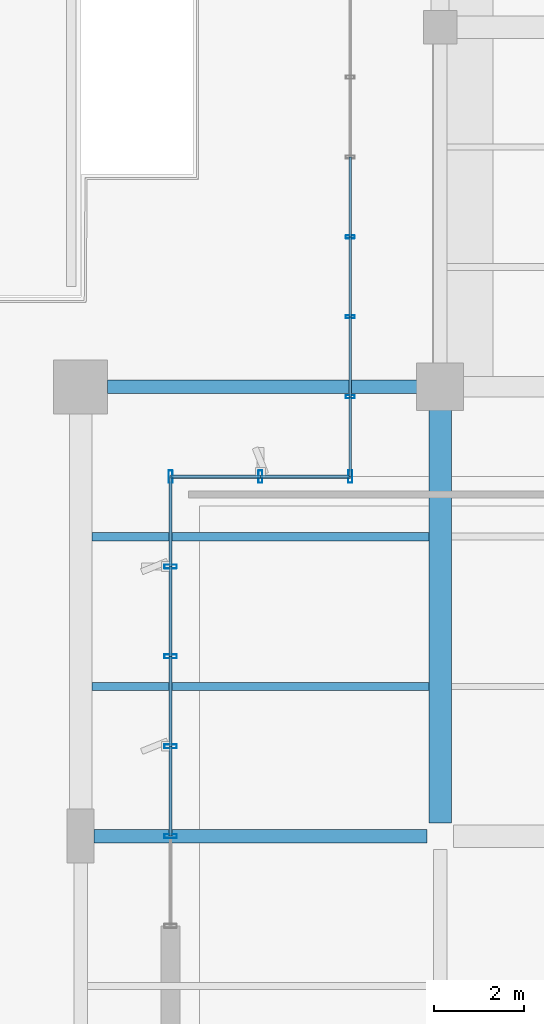
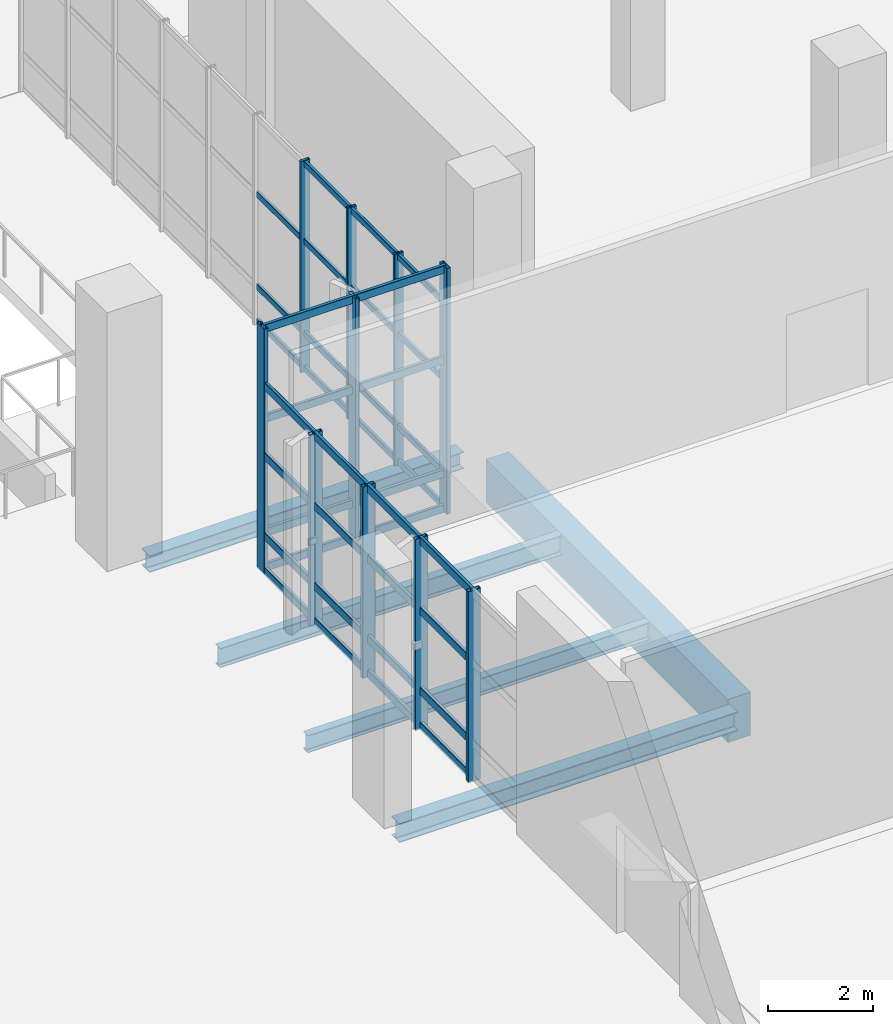
# One storey, part 61 of 163: 49 members, 5 beams, 3 elements without a shape of their own.
"""IFC4 building model written with IfcOpenShell, lengths in metres."""

from ifc_helpers import new_model, si_unit, direction, frame, origin, origin_2d, place, context, subcontext, project, spatial, rectangle, hollow_rectangle, i_section, extrude, material, layer, layer_set, material_profile, profile_set, type_object, element, aggregate, save


model = new_model("IFC4")

# Units and contexts
model_context = context("Model", 3, precision=1e-05, world=origin(), true_north=direction((0.0, 1.0)))
body_context = subcontext(model_context, "Body", "Model", "MODEL_VIEW")
ifc_project = project(units=[si_unit("LENGTHUNIT", "METRE"), si_unit("AREAUNIT", "SQUARE_METRE"), si_unit("VOLUMEUNIT", "CUBIC_METRE"), si_unit("PLANEANGLEUNIT", "RADIAN"), si_unit("MASSUNIT", "GRAM", prefix="KILO")], contexts=[model_context])

# Site, building, storey
site_placement = place(None, origin())
site = spatial("IfcSite", under=ifc_project, at=site_placement, CompositionType="ELEMENT")
building_placement = place(site_placement, origin())
building = spatial("IfcBuilding", under=site, at=building_placement, Name="Khorjan Park Terminus", CompositionType="ELEMENT")
storey_placement = place(building_placement, origin())
storey = spatial("IfcBuildingStorey", under=building, at=storey_placement, Name="L00", CompositionType="ELEMENT", Elevation=0.0)

# Beams
ifc_material_1 = material(Name="Steel S355", Category="steel")
ifc_material_profile_1 = material_profile(ifc_material_1, i_section(OverallWidth=0.3, OverallDepth=0.39, WebThickness=0.011, FlangeThickness=0.019, FilletRadius=0.027, at=origin_2d()), Name="HEA 400")
ifc_profile_set_1 = profile_set([ifc_material_profile_1], Name="Steel S355")
beam_type_1 = type_object("IfcBeamType", Name="BM-HEA400", PredefinedType="BEAM", material=ifc_profile_set_1)
beam_1_placement = place(storey_placement, frame((48.595, 88.0, -0.515), z_axis=(1.0, 0.0, 0.0), x_axis=(0.0, 1.0, 0.0)))
element("IfcBeam", 1, at=beam_1_placement, inside=storey, type_object=beam_type_1, Name="Primary floor girder SB-A40 (L00)", PredefinedType="BEAM", context=body_context, shape_type="SweptSolid", body=[
    extrude(i_section(OverallWidth=0.3, OverallDepth=0.39, WebThickness=0.011, FlangeThickness=0.019, FilletRadius=0.027, at=origin_2d()), origin(), (0.0, 0.0, 1.0), 6.885),
])
ifc_material_profile_2 = material_profile(ifc_material_1, i_section(OverallWidth=0.3, OverallDepth=0.44, WebThickness=0.0115, FlangeThickness=0.021, FilletRadius=0.027, at=origin_2d()), Name="HEA 450")
ifc_profile_set_2 = profile_set([ifc_material_profile_2], Name="Steel S355")
beam_type_2 = type_object("IfcBeamType", Name="BM-HEA450", PredefinedType="BEAM", material=ifc_profile_set_2)
beam_2_placement = place(storey_placement, frame((48.295, 78.0, -0.58), z_axis=(1.0, 0.0, 0.0), x_axis=(0.0, 1.0, 0.0)))
element("IfcBeam", 2, at=beam_2_placement, inside=storey, type_object=beam_type_2, Name="Primary floor girder SB-A45 (L00)", PredefinedType="BEAM", context=body_context, shape_type="SweptSolid", body=[
    extrude(i_section(OverallWidth=0.3, OverallDepth=0.44, WebThickness=0.0115, FlangeThickness=0.021, FilletRadius=0.027, at=origin_2d()), origin(), (0.0, 0.0, 1.0), 7.41),
])
ifc_material_2 = material(Name="Concrete C40/50", Category="concrete")
ifc_material_profile_3 = material_profile(ifc_material_2, rectangle(XDim=0.5, YDim=1.0, at=origin_2d()), Name="RC 500x1000")
ifc_profile_set_3 = profile_set([ifc_material_profile_3], Name="Concrete C40/50")
beam_type_3 = type_object("IfcBeamType", Name="BM-RC500x1000", PredefinedType="BEAM", material=ifc_profile_set_3)
beam_3_placement = place(storey_placement, frame((56.0, 78.295, -0.86), z_axis=(0.0, 1.0, 0.0), x_axis=(-1.0, 0.0, 0.0)))
element("IfcBeam", 3, at=beam_3_placement, inside=storey, type_object=beam_type_3, Name="Primary floor girder GB-10B (L00)", PredefinedType="BEAM", context=body_context, shape_type="SweptSolid", body=[
    extrude(rectangle(XDim=0.5, YDim=1.0, at=origin_2d()), origin(), (0.0, 0.0, 1.0), 9.185),
])
ifc_material_profile_4 = material_profile(ifc_material_1, i_section(OverallWidth=0.18, OverallDepth=0.4, WebThickness=0.0086, FlangeThickness=0.0135, FilletRadius=0.021, at=origin_2d()), Name="IPE 400")
ifc_profile_set_4 = profile_set([ifc_material_profile_4], Name="Steel S355")
beam_type_4 = type_object("IfcBeamType", Name="JS-IPE400", PredefinedType="JOIST", material=ifc_profile_set_4)
beam_4_placement = place(storey_placement, frame((48.25, 81.3333, -0.56), z_axis=(1.0, 0.0, 0.0), x_axis=(0.0, 1.0, 0.0)))
element("IfcBeam", 4, at=beam_4_placement, inside=storey, type_object=beam_type_4, Name="Secondary composite floor joist SJ-40 (L00)", PredefinedType="JOIST", context=body_context, shape_type="SweptSolid", body=[
    extrude(i_section(OverallWidth=0.18, OverallDepth=0.4, WebThickness=0.0086, FlangeThickness=0.0135, FilletRadius=0.021, at=origin_2d()), origin(), (0.0, 0.0, 1.0), 7.5),
])
ifc_material_profile_5 = material_profile(ifc_material_1, i_section(OverallWidth=0.19, OverallDepth=0.45, WebThickness=0.0094, FlangeThickness=0.0146, FilletRadius=0.021, at=origin_2d()), Name="IPE 450")
ifc_profile_set_5 = profile_set([ifc_material_profile_5], Name="Steel S355")
beam_type_5 = type_object("IfcBeamType", Name="JS-IPE450", PredefinedType="JOIST", material=ifc_profile_set_5)
beam_5_placement = place(storey_placement, frame((48.25, 84.6667, -0.585), z_axis=(1.0, 0.0, 0.0), x_axis=(0.0, 1.0, 0.0)))
element("IfcBeam", 5, at=beam_5_placement, inside=storey, type_object=beam_type_5, Name="Secondary composite floor joist SJ-45 (L00)", PredefinedType="JOIST", context=body_context, shape_type="SweptSolid", body=[
    extrude(i_section(OverallWidth=0.19, OverallDepth=0.45, WebThickness=0.0094, FlangeThickness=0.0146, FilletRadius=0.021, at=origin_2d()), origin(), (0.0, 0.0, 1.0), 7.5),
])

# Curtain wall, members
ifc_material_3 = material(Name="Anodized Bronze Aluminium", Category="aluminium")
ifc_layer_1 = layer(ifc_material_3, 0.22)
ifc_layer_set_1 = layer_set([ifc_layer_1], Name="Anodized Bronze Aluminium")
curtain_wall_type_1 = type_object("IfcCurtainWallType", Name="CW-BRG-D", PredefinedType="NOTDEFINED", material=ifc_layer_set_1)
curtain_wall_1_placement = place(storey_placement, origin())
curtain_wall_1 = element("IfcCurtainWall", 6, at=curtain_wall_1_placement, inside=storey, type_object=curtain_wall_type_1, Name="Unitized curtain wall CW-D (CW-NKW-W-L00)", PredefinedType="NOTDEFINED")
ifc_material_profile_6 = material_profile(ifc_material_3, hollow_rectangle(XDim=0.07, YDim=0.2, WallThickness=0.005, InnerFilletRadius=0.005, OuterFilletRadius=0.01, at=origin_2d()), Name="ALM 70x200x5")
ifc_profile_set_6 = profile_set([ifc_material_profile_6], Name="Anodized Bronze Aluminium")
member_type_1 = type_object("IfcMemberType", Name="ML-ALM-200", PredefinedType="MULLION", material=ifc_profile_set_6)
member_1_placement = place(storey_placement, frame((54.0, 91.3333, -0.035), z_axis=(0.0, 0.0, 1.0), x_axis=(0.0, -1.0, 0.0)))
member_1 = element("IfcMember", 7, at=member_1_placement, type_object=member_type_1, Name="Curtain-wall mullion ML-20 (CW-NKW-W-L00-6)", PredefinedType="MULLION", context=body_context, shape_type="SweptSolid", body=[
    extrude(hollow_rectangle(XDim=0.07, YDim=0.2, WallThickness=0.005, InnerFilletRadius=0.005, OuterFilletRadius=0.01, at=origin_2d()), origin(), (0.0, 0.0, 1.0), 4.895),
])
member_2_placement = place(storey_placement, frame((54.0, 89.5556, -0.035), z_axis=(0.0, 0.0, 1.0), x_axis=(0.0, -1.0, 0.0)))
member_2 = element("IfcMember", 8, at=member_2_placement, type_object=member_type_1, Name="Curtain-wall mullion ML-20 (CW-NKW-W-L00-7)", PredefinedType="MULLION", context=body_context, shape_type="SweptSolid", body=[
    extrude(hollow_rectangle(XDim=0.07, YDim=0.2, WallThickness=0.005, InnerFilletRadius=0.005, OuterFilletRadius=0.01, at=origin_2d()), origin(), (0.0, 0.0, 1.0), 4.895),
])
member_3_placement = place(storey_placement, frame((54.0, 87.7778, -0.035), z_axis=(0.0, 0.0, 1.0), x_axis=(0.0, -1.0, 0.0)))
member_3 = element("IfcMember", 9, at=member_3_placement, type_object=member_type_1, Name="Curtain-wall mullion ML-20 (CW-NKW-W-L00-8)", PredefinedType="MULLION", context=body_context, shape_type="SweptSolid", body=[
    extrude(hollow_rectangle(XDim=0.07, YDim=0.2, WallThickness=0.005, InnerFilletRadius=0.005, OuterFilletRadius=0.01, at=origin_2d()), origin(), (0.0, 0.0, 1.0), 4.895),
])

ifc_layer_2 = layer(ifc_material_3, 0.22)
ifc_layer_set_2 = layer_set([ifc_layer_2], Name="Anodized Bronze Aluminium")
curtain_wall_type_2 = type_object("IfcCurtainWallType", Name="CW-CONC-A", PredefinedType="NOTDEFINED", material=ifc_layer_set_2)
curtain_wall_2_placement = place(storey_placement, origin())
curtain_wall_2 = element("IfcCurtainWall", 10, at=curtain_wall_2_placement, inside=storey, type_object=curtain_wall_type_2, Name="Unitized curtain wall CW-A (CW-V2-N-L00-01)", PredefinedType="NOTDEFINED")
ifc_material_profile_7 = material_profile(ifc_material_3, hollow_rectangle(XDim=0.09, YDim=0.28, WallThickness=0.006, InnerFilletRadius=0.006, OuterFilletRadius=0.012, at=origin_2d()), Name="ALM 90x280x6")
ifc_profile_set_7 = profile_set([ifc_material_profile_7], Name="Anodized Bronze Aluminium")
member_type_2 = type_object("IfcMemberType", Name="ML-ALM-280", PredefinedType="MULLION", material=ifc_profile_set_7)
member_4_placement = place(storey_placement, frame((54.0, 86.0, -0.035), z_axis=(0.0, 0.0, 1.0), x_axis=(-1.0, 0.0, 0.0)))
member_4 = element("IfcMember", 11, at=member_4_placement, type_object=member_type_2, Name="Curtain-wall mullion ML-28 (CW-V2-N-L00-01-0)", PredefinedType="MULLION", context=body_context, shape_type="SweptSolid", body=[
    extrude(hollow_rectangle(XDim=0.09, YDim=0.28, WallThickness=0.006, InnerFilletRadius=0.006, OuterFilletRadius=0.012, at=origin_2d()), origin(), (0.0, 0.0, 1.0), 5.69),
])
member_5_placement = place(storey_placement, frame((52.0, 86.0, -0.035), z_axis=(0.0, 0.0, 1.0), x_axis=(-1.0, 0.0, 0.0)))
member_5 = element("IfcMember", 12, at=member_5_placement, type_object=member_type_2, Name="Curtain-wall mullion ML-28 (CW-V2-N-L00-01-1)", PredefinedType="MULLION", context=body_context, shape_type="SweptSolid", body=[
    extrude(hollow_rectangle(XDim=0.09, YDim=0.28, WallThickness=0.006, InnerFilletRadius=0.006, OuterFilletRadius=0.012, at=origin_2d()), origin(), (0.0, 0.0, 1.0), 5.69),
])
member_6_placement = place(storey_placement, frame((50.0, 86.0, -0.035), z_axis=(0.0, 0.0, 1.0), x_axis=(-1.0, 0.0, 0.0)))
member_6 = element("IfcMember", 13, at=member_6_placement, type_object=member_type_2, Name="Curtain-wall mullion ML-28 (CW-V2-N-L00-01-2)", PredefinedType="MULLION", context=body_context, shape_type="SweptSolid", body=[
    extrude(hollow_rectangle(XDim=0.09, YDim=0.28, WallThickness=0.006, InnerFilletRadius=0.006, OuterFilletRadius=0.012, at=origin_2d()), origin(), (0.0, 0.0, 1.0), 5.69),
])

curtain_wall_3_placement = place(storey_placement, origin())
curtain_wall_3 = element("IfcCurtainWall", 14, at=curtain_wall_3_placement, inside=storey, type_object=curtain_wall_type_2, Name="Unitized curtain wall CW-A (CW-V2-W-L00-05)", PredefinedType="NOTDEFINED")
member_7_placement = place(storey_placement, frame((50.0, 84.0, -0.035), z_axis=(0.0, 0.0, 1.0), x_axis=(0.0, -1.0, 0.0)))
member_7 = element("IfcMember", 15, at=member_7_placement, type_object=member_type_2, Name="Curtain-wall mullion ML-28 (CW-V2-W-L00-05-1)", PredefinedType="MULLION", context=body_context, shape_type="SweptSolid", body=[
    extrude(hollow_rectangle(XDim=0.09, YDim=0.28, WallThickness=0.006, InnerFilletRadius=0.006, OuterFilletRadius=0.012, at=origin_2d()), origin(), (0.0, 0.0, 1.0), 4.435),
])
member_8_placement = place(storey_placement, frame((50.0, 82.0, -0.035), z_axis=(0.0, 0.0, 1.0), x_axis=(0.0, -1.0, 0.0)))
member_8 = element("IfcMember", 16, at=member_8_placement, type_object=member_type_2, Name="Curtain-wall mullion ML-28 (CW-V2-W-L00-05-2)", PredefinedType="MULLION", context=body_context, shape_type="SweptSolid", body=[
    extrude(hollow_rectangle(XDim=0.09, YDim=0.28, WallThickness=0.006, InnerFilletRadius=0.006, OuterFilletRadius=0.012, at=origin_2d()), origin(), (0.0, 0.0, 1.0), 4.435),
])
member_9_placement = place(storey_placement, frame((50.0, 80.0, -0.035), z_axis=(0.0, 0.0, 1.0), x_axis=(0.0, -1.0, 0.0)))
member_9 = element("IfcMember", 17, at=member_9_placement, type_object=member_type_2, Name="Curtain-wall mullion ML-28 (CW-V2-W-L00-05-3)", PredefinedType="MULLION", context=body_context, shape_type="SweptSolid", body=[
    extrude(hollow_rectangle(XDim=0.09, YDim=0.28, WallThickness=0.006, InnerFilletRadius=0.006, OuterFilletRadius=0.012, at=origin_2d()), origin(), (0.0, 0.0, 1.0), 4.435),
])
member_10_placement = place(storey_placement, frame((50.0, 78.0, -0.035), z_axis=(0.0, 0.0, 1.0), x_axis=(0.0, -1.0, 0.0)))
member_10 = element("IfcMember", 18, at=member_10_placement, type_object=member_type_2, Name="Curtain-wall mullion ML-28 (CW-V2-W-L00-05-4)", PredefinedType="MULLION", context=body_context, shape_type="SweptSolid", body=[
    extrude(hollow_rectangle(XDim=0.09, YDim=0.28, WallThickness=0.006, InnerFilletRadius=0.006, OuterFilletRadius=0.012, at=origin_2d()), origin(), (0.0, 0.0, 1.0), 4.435),
])

# Member
ifc_material_profile_8 = material_profile(ifc_material_3, hollow_rectangle(XDim=0.065, YDim=0.14, WallThickness=0.004, InnerFilletRadius=0.004, OuterFilletRadius=0.008, at=origin_2d()), Name="ALT 65x140x4")
ifc_profile_set_8 = profile_set([ifc_material_profile_8], Name="Anodized Bronze Aluminium")
member_type_3 = type_object("IfcMemberType", Name="TR-ALT-140", PredefinedType="USERDEFINED", material=ifc_profile_set_8)
member_11_placement = place(storey_placement, frame((54.0, 93.1111, 0.04), z_axis=(0.0, -1.0, 0.0), x_axis=(1.0, 0.0, 0.0)))
member_11 = element("IfcMember", 19, at=member_11_placement, type_object=member_type_3, Name="Curtain-wall transom TR-14 (CW-NKW-W-L00-5-1)", ObjectType="TRANSOM", PredefinedType="USERDEFINED", context=body_context, shape_type="SweptSolid", body=[
    extrude(hollow_rectangle(XDim=0.065, YDim=0.14, WallThickness=0.004, InnerFilletRadius=0.004, OuterFilletRadius=0.008, at=origin_2d()), origin(), (0.0, 0.0, 1.0), 1.7778),
])

member_12_placement = place(storey_placement, frame((54.0, 93.1111, 0.85), z_axis=(0.0, -1.0, 0.0), x_axis=(1.0, 0.0, 0.0)))
member_12 = element("IfcMember", 20, at=member_12_placement, type_object=member_type_3, Name="Curtain-wall transom TR-14 (CW-NKW-W-L00-5-2)", ObjectType="TRANSOM", PredefinedType="USERDEFINED", context=body_context, shape_type="SweptSolid", body=[
    extrude(hollow_rectangle(XDim=0.065, YDim=0.14, WallThickness=0.004, InnerFilletRadius=0.004, OuterFilletRadius=0.008, at=origin_2d()), origin(), (0.0, 0.0, 1.0), 1.7778),
])

member_13_placement = place(storey_placement, frame((54.0, 93.1111, 2.9915), z_axis=(0.0, -1.0, 0.0), x_axis=(1.0, 0.0, 0.0)))
member_13 = element("IfcMember", 21, at=member_13_placement, type_object=member_type_3, Name="Curtain-wall transom TR-14 (CW-NKW-W-L00-5-3)", ObjectType="TRANSOM", PredefinedType="USERDEFINED", context=body_context, shape_type="SweptSolid", body=[
    extrude(hollow_rectangle(XDim=0.065, YDim=0.14, WallThickness=0.004, InnerFilletRadius=0.004, OuterFilletRadius=0.008, at=origin_2d()), origin(), (0.0, 0.0, 1.0), 1.7778),
])

member_14_placement = place(storey_placement, frame((54.0, 91.3333, 0.04), z_axis=(0.0, -1.0, 0.0), x_axis=(1.0, 0.0, 0.0)))
member_14 = element("IfcMember", 22, at=member_14_placement, type_object=member_type_3, Name="Curtain-wall transom TR-14 (CW-NKW-W-L00-6-1)", ObjectType="TRANSOM", PredefinedType="USERDEFINED", context=body_context, shape_type="SweptSolid", body=[
    extrude(hollow_rectangle(XDim=0.065, YDim=0.14, WallThickness=0.004, InnerFilletRadius=0.004, OuterFilletRadius=0.008, at=origin_2d()), origin(), (0.0, 0.0, 1.0), 1.7777),
])

member_15_placement = place(storey_placement, frame((54.0, 91.3333, 0.85), z_axis=(0.0, -1.0, 0.0), x_axis=(1.0, 0.0, 0.0)))
member_15 = element("IfcMember", 23, at=member_15_placement, type_object=member_type_3, Name="Curtain-wall transom TR-14 (CW-NKW-W-L00-6-2)", ObjectType="TRANSOM", PredefinedType="USERDEFINED", context=body_context, shape_type="SweptSolid", body=[
    extrude(hollow_rectangle(XDim=0.065, YDim=0.14, WallThickness=0.004, InnerFilletRadius=0.004, OuterFilletRadius=0.008, at=origin_2d()), origin(), (0.0, 0.0, 1.0), 1.7777),
])

member_16_placement = place(storey_placement, frame((54.0, 91.3333, 2.9915), z_axis=(0.0, -1.0, 0.0), x_axis=(1.0, 0.0, 0.0)))
member_16 = element("IfcMember", 24, at=member_16_placement, type_object=member_type_3, Name="Curtain-wall transom TR-14 (CW-NKW-W-L00-6-3)", ObjectType="TRANSOM", PredefinedType="USERDEFINED", context=body_context, shape_type="SweptSolid", body=[
    extrude(hollow_rectangle(XDim=0.065, YDim=0.14, WallThickness=0.004, InnerFilletRadius=0.004, OuterFilletRadius=0.008, at=origin_2d()), origin(), (0.0, 0.0, 1.0), 1.7777),
])

member_17_placement = place(storey_placement, frame((54.0, 91.3333, 4.785), z_axis=(0.0, -1.0, 0.0), x_axis=(1.0, 0.0, 0.0)))
member_17 = element("IfcMember", 25, at=member_17_placement, type_object=member_type_3, Name="Curtain-wall transom TR-14 (CW-NKW-W-L00-6-4)", ObjectType="TRANSOM", PredefinedType="USERDEFINED", context=body_context, shape_type="SweptSolid", body=[
    extrude(hollow_rectangle(XDim=0.065, YDim=0.14, WallThickness=0.004, InnerFilletRadius=0.004, OuterFilletRadius=0.008, at=origin_2d()), origin(), (0.0, 0.0, 1.0), 1.7777),
])

member_18_placement = place(storey_placement, frame((54.0, 89.5556, 0.04), z_axis=(0.0, -1.0, 0.0), x_axis=(1.0, 0.0, 0.0)))
member_18 = element("IfcMember", 26, at=member_18_placement, type_object=member_type_3, Name="Curtain-wall transom TR-14 (CW-NKW-W-L00-7-1)", ObjectType="TRANSOM", PredefinedType="USERDEFINED", context=body_context, shape_type="SweptSolid", body=[
    extrude(hollow_rectangle(XDim=0.065, YDim=0.14, WallThickness=0.004, InnerFilletRadius=0.004, OuterFilletRadius=0.008, at=origin_2d()), origin(), (0.0, 0.0, 1.0), 1.7778),
])

member_19_placement = place(storey_placement, frame((54.0, 89.5556, 0.85), z_axis=(0.0, -1.0, 0.0), x_axis=(1.0, 0.0, 0.0)))
member_19 = element("IfcMember", 27, at=member_19_placement, type_object=member_type_3, Name="Curtain-wall transom TR-14 (CW-NKW-W-L00-7-2)", ObjectType="TRANSOM", PredefinedType="USERDEFINED", context=body_context, shape_type="SweptSolid", body=[
    extrude(hollow_rectangle(XDim=0.065, YDim=0.14, WallThickness=0.004, InnerFilletRadius=0.004, OuterFilletRadius=0.008, at=origin_2d()), origin(), (0.0, 0.0, 1.0), 1.7778),
])

member_20_placement = place(storey_placement, frame((54.0, 89.5556, 2.9915), z_axis=(0.0, -1.0, 0.0), x_axis=(1.0, 0.0, 0.0)))
member_20 = element("IfcMember", 28, at=member_20_placement, type_object=member_type_3, Name="Curtain-wall transom TR-14 (CW-NKW-W-L00-7-3)", ObjectType="TRANSOM", PredefinedType="USERDEFINED", context=body_context, shape_type="SweptSolid", body=[
    extrude(hollow_rectangle(XDim=0.065, YDim=0.14, WallThickness=0.004, InnerFilletRadius=0.004, OuterFilletRadius=0.008, at=origin_2d()), origin(), (0.0, 0.0, 1.0), 1.7778),
])

member_21_placement = place(storey_placement, frame((54.0, 89.5556, 4.785), z_axis=(0.0, -1.0, 0.0), x_axis=(1.0, 0.0, 0.0)))
member_21 = element("IfcMember", 29, at=member_21_placement, type_object=member_type_3, Name="Curtain-wall transom TR-14 (CW-NKW-W-L00-7-4)", ObjectType="TRANSOM", PredefinedType="USERDEFINED", context=body_context, shape_type="SweptSolid", body=[
    extrude(hollow_rectangle(XDim=0.065, YDim=0.14, WallThickness=0.004, InnerFilletRadius=0.004, OuterFilletRadius=0.008, at=origin_2d()), origin(), (0.0, 0.0, 1.0), 1.7778),
])

member_22_placement = place(storey_placement, frame((54.0, 87.7778, 0.04), z_axis=(0.0, -1.0, 0.0), x_axis=(1.0, 0.0, 0.0)))
member_22 = element("IfcMember", 30, at=member_22_placement, type_object=member_type_3, Name="Curtain-wall transom TR-14 (CW-NKW-W-L00-8-1)", ObjectType="TRANSOM", PredefinedType="USERDEFINED", context=body_context, shape_type="SweptSolid", body=[
    extrude(hollow_rectangle(XDim=0.065, YDim=0.14, WallThickness=0.004, InnerFilletRadius=0.004, OuterFilletRadius=0.008, at=origin_2d()), origin(), (0.0, 0.0, 1.0), 1.7778),
])

member_23_placement = place(storey_placement, frame((54.0, 87.7778, 0.85), z_axis=(0.0, -1.0, 0.0), x_axis=(1.0, 0.0, 0.0)))
member_23 = element("IfcMember", 31, at=member_23_placement, type_object=member_type_3, Name="Curtain-wall transom TR-14 (CW-NKW-W-L00-8-2)", ObjectType="TRANSOM", PredefinedType="USERDEFINED", context=body_context, shape_type="SweptSolid", body=[
    extrude(hollow_rectangle(XDim=0.065, YDim=0.14, WallThickness=0.004, InnerFilletRadius=0.004, OuterFilletRadius=0.008, at=origin_2d()), origin(), (0.0, 0.0, 1.0), 1.7778),
])

member_24_placement = place(storey_placement, frame((54.0, 87.7778, 2.9915), z_axis=(0.0, -1.0, 0.0), x_axis=(1.0, 0.0, 0.0)))
member_24 = element("IfcMember", 32, at=member_24_placement, type_object=member_type_3, Name="Curtain-wall transom TR-14 (CW-NKW-W-L00-8-3)", ObjectType="TRANSOM", PredefinedType="USERDEFINED", context=body_context, shape_type="SweptSolid", body=[
    extrude(hollow_rectangle(XDim=0.065, YDim=0.14, WallThickness=0.004, InnerFilletRadius=0.004, OuterFilletRadius=0.008, at=origin_2d()), origin(), (0.0, 0.0, 1.0), 1.7778),
])

member_25_placement = place(storey_placement, frame((54.0, 87.7778, 4.785), z_axis=(0.0, -1.0, 0.0), x_axis=(1.0, 0.0, 0.0)))
member_25 = element("IfcMember", 33, at=member_25_placement, type_object=member_type_3, Name="Curtain-wall transom TR-14 (CW-NKW-W-L00-8-4)", ObjectType="TRANSOM", PredefinedType="USERDEFINED", context=body_context, shape_type="SweptSolid", body=[
    extrude(hollow_rectangle(XDim=0.065, YDim=0.14, WallThickness=0.004, InnerFilletRadius=0.004, OuterFilletRadius=0.008, at=origin_2d()), origin(), (0.0, 0.0, 1.0), 1.7778),
])

aggregate(curtain_wall_1, [member_1, member_2, member_3, member_11, member_12, member_13, member_14, member_15, member_16, member_17, member_18, member_19, member_20, member_21, member_22, member_23, member_24, member_25])

ifc_material_profile_9 = material_profile(ifc_material_3, hollow_rectangle(XDim=0.075, YDim=0.185, WallThickness=0.005, InnerFilletRadius=0.005, OuterFilletRadius=0.01, at=origin_2d()), Name="ALT 75x185x5")
ifc_profile_set_9 = profile_set([ifc_material_profile_9], Name="Anodized Bronze Aluminium")
member_type_4 = type_object("IfcMemberType", Name="TR-ALT-185", PredefinedType="USERDEFINED", material=ifc_profile_set_9)
member_26_placement = place(storey_placement, frame((54.0, 86.0, 0.04), z_axis=(-1.0, 0.0, 0.0), x_axis=(0.0, -1.0, 0.0)))
member_26 = element("IfcMember", 34, at=member_26_placement, type_object=member_type_4, Name="Curtain-wall transom TR-18 (CW-V2-N-L00-01-0-1)", ObjectType="TRANSOM", PredefinedType="USERDEFINED", context=body_context, shape_type="SweptSolid", body=[
    extrude(hollow_rectangle(XDim=0.075, YDim=0.185, WallThickness=0.005, InnerFilletRadius=0.005, OuterFilletRadius=0.01, at=origin_2d()), origin(), (0.0, 0.0, 1.0), 2.0),
])

member_27_placement = place(storey_placement, frame((54.0, 86.0, 0.85), z_axis=(-1.0, 0.0, 0.0), x_axis=(0.0, -1.0, 0.0)))
member_27 = element("IfcMember", 35, at=member_27_placement, type_object=member_type_4, Name="Curtain-wall transom TR-18 (CW-V2-N-L00-01-0-2)", ObjectType="TRANSOM", PredefinedType="USERDEFINED", context=body_context, shape_type="SweptSolid", body=[
    extrude(hollow_rectangle(XDim=0.075, YDim=0.185, WallThickness=0.005, InnerFilletRadius=0.005, OuterFilletRadius=0.01, at=origin_2d()), origin(), (0.0, 0.0, 1.0), 2.0),
])

member_28_placement = place(storey_placement, frame((54.0, 86.0, 3.4844), z_axis=(-1.0, 0.0, 0.0), x_axis=(0.0, -1.0, 0.0)))
member_28 = element("IfcMember", 36, at=member_28_placement, type_object=member_type_4, Name="Curtain-wall transom TR-18 (CW-V2-N-L00-01-0-3)", ObjectType="TRANSOM", PredefinedType="USERDEFINED", context=body_context, shape_type="SweptSolid", body=[
    extrude(hollow_rectangle(XDim=0.075, YDim=0.185, WallThickness=0.005, InnerFilletRadius=0.005, OuterFilletRadius=0.01, at=origin_2d()), origin(), (0.0, 0.0, 1.0), 2.0),
])

member_29_placement = place(storey_placement, frame((54.0, 86.0, 5.58), z_axis=(-1.0, 0.0, 0.0), x_axis=(0.0, -1.0, 0.0)))
member_29 = element("IfcMember", 37, at=member_29_placement, type_object=member_type_4, Name="Curtain-wall transom TR-18 (CW-V2-N-L00-01-0-4)", ObjectType="TRANSOM", PredefinedType="USERDEFINED", context=body_context, shape_type="SweptSolid", body=[
    extrude(hollow_rectangle(XDim=0.075, YDim=0.185, WallThickness=0.005, InnerFilletRadius=0.005, OuterFilletRadius=0.01, at=origin_2d()), origin(), (0.0, 0.0, 1.0), 2.0),
])

member_30_placement = place(storey_placement, frame((52.0, 86.0, 0.04), z_axis=(-1.0, 0.0, 0.0), x_axis=(0.0, -1.0, 0.0)))
member_30 = element("IfcMember", 38, at=member_30_placement, type_object=member_type_4, Name="Curtain-wall transom TR-18 (CW-V2-N-L00-01-1-1)", ObjectType="TRANSOM", PredefinedType="USERDEFINED", context=body_context, shape_type="SweptSolid", body=[
    extrude(hollow_rectangle(XDim=0.075, YDim=0.185, WallThickness=0.005, InnerFilletRadius=0.005, OuterFilletRadius=0.01, at=origin_2d()), origin(), (0.0, 0.0, 1.0), 2.0),
])

member_31_placement = place(storey_placement, frame((52.0, 86.0, 0.85), z_axis=(-1.0, 0.0, 0.0), x_axis=(0.0, -1.0, 0.0)))
member_31 = element("IfcMember", 39, at=member_31_placement, type_object=member_type_4, Name="Curtain-wall transom TR-18 (CW-V2-N-L00-01-1-2)", ObjectType="TRANSOM", PredefinedType="USERDEFINED", context=body_context, shape_type="SweptSolid", body=[
    extrude(hollow_rectangle(XDim=0.075, YDim=0.185, WallThickness=0.005, InnerFilletRadius=0.005, OuterFilletRadius=0.01, at=origin_2d()), origin(), (0.0, 0.0, 1.0), 2.0),
])

member_32_placement = place(storey_placement, frame((52.0, 86.0, 3.4844), z_axis=(-1.0, 0.0, 0.0), x_axis=(0.0, -1.0, 0.0)))
member_32 = element("IfcMember", 40, at=member_32_placement, type_object=member_type_4, Name="Curtain-wall transom TR-18 (CW-V2-N-L00-01-1-3)", ObjectType="TRANSOM", PredefinedType="USERDEFINED", context=body_context, shape_type="SweptSolid", body=[
    extrude(hollow_rectangle(XDim=0.075, YDim=0.185, WallThickness=0.005, InnerFilletRadius=0.005, OuterFilletRadius=0.01, at=origin_2d()), origin(), (0.0, 0.0, 1.0), 2.0),
])

member_33_placement = place(storey_placement, frame((52.0, 86.0, 5.58), z_axis=(-1.0, 0.0, 0.0), x_axis=(0.0, -1.0, 0.0)))
member_33 = element("IfcMember", 41, at=member_33_placement, type_object=member_type_4, Name="Curtain-wall transom TR-18 (CW-V2-N-L00-01-1-4)", ObjectType="TRANSOM", PredefinedType="USERDEFINED", context=body_context, shape_type="SweptSolid", body=[
    extrude(hollow_rectangle(XDim=0.075, YDim=0.185, WallThickness=0.005, InnerFilletRadius=0.005, OuterFilletRadius=0.01, at=origin_2d()), origin(), (0.0, 0.0, 1.0), 2.0),
])

aggregate(curtain_wall_2, [member_4, member_5, member_6, member_26, member_27, member_28, member_29, member_30, member_31, member_32, member_33])

member_34_placement = place(storey_placement, frame((50.0, 86.0, 0.04), z_axis=(0.0, -1.0, 0.0), x_axis=(1.0, 0.0, 0.0)))
member_34 = element("IfcMember", 42, at=member_34_placement, type_object=member_type_4, Name="Curtain-wall transom TR-18 (CW-V2-W-L00-05-0-1)", ObjectType="TRANSOM", PredefinedType="USERDEFINED", context=body_context, shape_type="SweptSolid", body=[
    extrude(hollow_rectangle(XDim=0.075, YDim=0.185, WallThickness=0.005, InnerFilletRadius=0.005, OuterFilletRadius=0.01, at=origin_2d()), origin(), (0.0, 0.0, 1.0), 2.0),
])

member_35_placement = place(storey_placement, frame((50.0, 86.0, 0.85), z_axis=(0.0, -1.0, 0.0), x_axis=(1.0, 0.0, 0.0)))
member_35 = element("IfcMember", 43, at=member_35_placement, type_object=member_type_4, Name="Curtain-wall transom TR-18 (CW-V2-W-L00-05-0-2)", ObjectType="TRANSOM", PredefinedType="USERDEFINED", context=body_context, shape_type="SweptSolid", body=[
    extrude(hollow_rectangle(XDim=0.075, YDim=0.185, WallThickness=0.005, InnerFilletRadius=0.005, OuterFilletRadius=0.01, at=origin_2d()), origin(), (0.0, 0.0, 1.0), 2.0),
])

member_36_placement = place(storey_placement, frame((50.0, 86.0, 2.7063), z_axis=(0.0, -1.0, 0.0), x_axis=(1.0, 0.0, 0.0)))
member_36 = element("IfcMember", 44, at=member_36_placement, type_object=member_type_4, Name="Curtain-wall transom TR-18 (CW-V2-W-L00-05-0-3)", ObjectType="TRANSOM", PredefinedType="USERDEFINED", context=body_context, shape_type="SweptSolid", body=[
    extrude(hollow_rectangle(XDim=0.075, YDim=0.185, WallThickness=0.005, InnerFilletRadius=0.005, OuterFilletRadius=0.01, at=origin_2d()), origin(), (0.0, 0.0, 1.0), 2.0),
])

member_37_placement = place(storey_placement, frame((50.0, 86.0, 4.325), z_axis=(0.0, -1.0, 0.0), x_axis=(1.0, 0.0, 0.0)))
member_37 = element("IfcMember", 45, at=member_37_placement, type_object=member_type_4, Name="Curtain-wall transom TR-18 (CW-V2-W-L00-05-0-4)", ObjectType="TRANSOM", PredefinedType="USERDEFINED", context=body_context, shape_type="SweptSolid", body=[
    extrude(hollow_rectangle(XDim=0.075, YDim=0.185, WallThickness=0.005, InnerFilletRadius=0.005, OuterFilletRadius=0.01, at=origin_2d()), origin(), (0.0, 0.0, 1.0), 2.0),
])

member_38_placement = place(storey_placement, frame((50.0, 84.0, 0.04), z_axis=(0.0, -1.0, 0.0), x_axis=(1.0, 0.0, 0.0)))
member_38 = element("IfcMember", 46, at=member_38_placement, type_object=member_type_4, Name="Curtain-wall transom TR-18 (CW-V2-W-L00-05-1-1)", ObjectType="TRANSOM", PredefinedType="USERDEFINED", context=body_context, shape_type="SweptSolid", body=[
    extrude(hollow_rectangle(XDim=0.075, YDim=0.185, WallThickness=0.005, InnerFilletRadius=0.005, OuterFilletRadius=0.01, at=origin_2d()), origin(), (0.0, 0.0, 1.0), 2.0),
])

member_39_placement = place(storey_placement, frame((50.0, 84.0, 0.85), z_axis=(0.0, -1.0, 0.0), x_axis=(1.0, 0.0, 0.0)))
member_39 = element("IfcMember", 47, at=member_39_placement, type_object=member_type_4, Name="Curtain-wall transom TR-18 (CW-V2-W-L00-05-1-2)", ObjectType="TRANSOM", PredefinedType="USERDEFINED", context=body_context, shape_type="SweptSolid", body=[
    extrude(hollow_rectangle(XDim=0.075, YDim=0.185, WallThickness=0.005, InnerFilletRadius=0.005, OuterFilletRadius=0.01, at=origin_2d()), origin(), (0.0, 0.0, 1.0), 2.0),
])

member_40_placement = place(storey_placement, frame((50.0, 84.0, 2.7063), z_axis=(0.0, -1.0, 0.0), x_axis=(1.0, 0.0, 0.0)))
member_40 = element("IfcMember", 48, at=member_40_placement, type_object=member_type_4, Name="Curtain-wall transom TR-18 (CW-V2-W-L00-05-1-3)", ObjectType="TRANSOM", PredefinedType="USERDEFINED", context=body_context, shape_type="SweptSolid", body=[
    extrude(hollow_rectangle(XDim=0.075, YDim=0.185, WallThickness=0.005, InnerFilletRadius=0.005, OuterFilletRadius=0.01, at=origin_2d()), origin(), (0.0, 0.0, 1.0), 2.0),
])

member_41_placement = place(storey_placement, frame((50.0, 84.0, 4.325), z_axis=(0.0, -1.0, 0.0), x_axis=(1.0, 0.0, 0.0)))
member_41 = element("IfcMember", 49, at=member_41_placement, type_object=member_type_4, Name="Curtain-wall transom TR-18 (CW-V2-W-L00-05-1-4)", ObjectType="TRANSOM", PredefinedType="USERDEFINED", context=body_context, shape_type="SweptSolid", body=[
    extrude(hollow_rectangle(XDim=0.075, YDim=0.185, WallThickness=0.005, InnerFilletRadius=0.005, OuterFilletRadius=0.01, at=origin_2d()), origin(), (0.0, 0.0, 1.0), 2.0),
])

member_42_placement = place(storey_placement, frame((50.0, 82.0, 0.04), z_axis=(0.0, -1.0, 0.0), x_axis=(1.0, 0.0, 0.0)))
member_42 = element("IfcMember", 50, at=member_42_placement, type_object=member_type_4, Name="Curtain-wall transom TR-18 (CW-V2-W-L00-05-2-1)", ObjectType="TRANSOM", PredefinedType="USERDEFINED", context=body_context, shape_type="SweptSolid", body=[
    extrude(hollow_rectangle(XDim=0.075, YDim=0.185, WallThickness=0.005, InnerFilletRadius=0.005, OuterFilletRadius=0.01, at=origin_2d()), origin(), (0.0, 0.0, 1.0), 2.0),
])

member_43_placement = place(storey_placement, frame((50.0, 82.0, 0.85), z_axis=(0.0, -1.0, 0.0), x_axis=(1.0, 0.0, 0.0)))
member_43 = element("IfcMember", 51, at=member_43_placement, type_object=member_type_4, Name="Curtain-wall transom TR-18 (CW-V2-W-L00-05-2-2)", ObjectType="TRANSOM", PredefinedType="USERDEFINED", context=body_context, shape_type="SweptSolid", body=[
    extrude(hollow_rectangle(XDim=0.075, YDim=0.185, WallThickness=0.005, InnerFilletRadius=0.005, OuterFilletRadius=0.01, at=origin_2d()), origin(), (0.0, 0.0, 1.0), 2.0),
])

member_44_placement = place(storey_placement, frame((50.0, 82.0, 2.7063), z_axis=(0.0, -1.0, 0.0), x_axis=(1.0, 0.0, 0.0)))
member_44 = element("IfcMember", 52, at=member_44_placement, type_object=member_type_4, Name="Curtain-wall transom TR-18 (CW-V2-W-L00-05-2-3)", ObjectType="TRANSOM", PredefinedType="USERDEFINED", context=body_context, shape_type="SweptSolid", body=[
    extrude(hollow_rectangle(XDim=0.075, YDim=0.185, WallThickness=0.005, InnerFilletRadius=0.005, OuterFilletRadius=0.01, at=origin_2d()), origin(), (0.0, 0.0, 1.0), 2.0),
])

member_45_placement = place(storey_placement, frame((50.0, 82.0, 4.325), z_axis=(0.0, -1.0, 0.0), x_axis=(1.0, 0.0, 0.0)))
member_45 = element("IfcMember", 53, at=member_45_placement, type_object=member_type_4, Name="Curtain-wall transom TR-18 (CW-V2-W-L00-05-2-4)", ObjectType="TRANSOM", PredefinedType="USERDEFINED", context=body_context, shape_type="SweptSolid", body=[
    extrude(hollow_rectangle(XDim=0.075, YDim=0.185, WallThickness=0.005, InnerFilletRadius=0.005, OuterFilletRadius=0.01, at=origin_2d()), origin(), (0.0, 0.0, 1.0), 2.0),
])

member_46_placement = place(storey_placement, frame((50.0, 80.0, 0.04), z_axis=(0.0, -1.0, 0.0), x_axis=(1.0, 0.0, 0.0)))
member_46 = element("IfcMember", 54, at=member_46_placement, type_object=member_type_4, Name="Curtain-wall transom TR-18 (CW-V2-W-L00-05-3-1)", ObjectType="TRANSOM", PredefinedType="USERDEFINED", context=body_context, shape_type="SweptSolid", body=[
    extrude(hollow_rectangle(XDim=0.075, YDim=0.185, WallThickness=0.005, InnerFilletRadius=0.005, OuterFilletRadius=0.01, at=origin_2d()), origin(), (0.0, 0.0, 1.0), 2.0),
])

member_47_placement = place(storey_placement, frame((50.0, 80.0, 0.85), z_axis=(0.0, -1.0, 0.0), x_axis=(1.0, 0.0, 0.0)))
member_47 = element("IfcMember", 55, at=member_47_placement, type_object=member_type_4, Name="Curtain-wall transom TR-18 (CW-V2-W-L00-05-3-2)", ObjectType="TRANSOM", PredefinedType="USERDEFINED", context=body_context, shape_type="SweptSolid", body=[
    extrude(hollow_rectangle(XDim=0.075, YDim=0.185, WallThickness=0.005, InnerFilletRadius=0.005, OuterFilletRadius=0.01, at=origin_2d()), origin(), (0.0, 0.0, 1.0), 2.0),
])

member_48_placement = place(storey_placement, frame((50.0, 80.0, 2.7063), z_axis=(0.0, -1.0, 0.0), x_axis=(1.0, 0.0, 0.0)))
member_48 = element("IfcMember", 56, at=member_48_placement, type_object=member_type_4, Name="Curtain-wall transom TR-18 (CW-V2-W-L00-05-3-3)", ObjectType="TRANSOM", PredefinedType="USERDEFINED", context=body_context, shape_type="SweptSolid", body=[
    extrude(hollow_rectangle(XDim=0.075, YDim=0.185, WallThickness=0.005, InnerFilletRadius=0.005, OuterFilletRadius=0.01, at=origin_2d()), origin(), (0.0, 0.0, 1.0), 2.0),
])

member_49_placement = place(storey_placement, frame((50.0, 80.0, 4.325), z_axis=(0.0, -1.0, 0.0), x_axis=(1.0, 0.0, 0.0)))
member_49 = element("IfcMember", 57, at=member_49_placement, type_object=member_type_4, Name="Curtain-wall transom TR-18 (CW-V2-W-L00-05-3-4)", ObjectType="TRANSOM", PredefinedType="USERDEFINED", context=body_context, shape_type="SweptSolid", body=[
    extrude(hollow_rectangle(XDim=0.075, YDim=0.185, WallThickness=0.005, InnerFilletRadius=0.005, OuterFilletRadius=0.01, at=origin_2d()), origin(), (0.0, 0.0, 1.0), 2.0),
])

aggregate(curtain_wall_3, [member_7, member_8, member_9, member_10, member_34, member_35, member_36, member_37, member_38, member_39, member_40, member_41, member_42, member_43, member_44, member_45, member_46, member_47, member_48, member_49])

save(model, "model.ifc")
